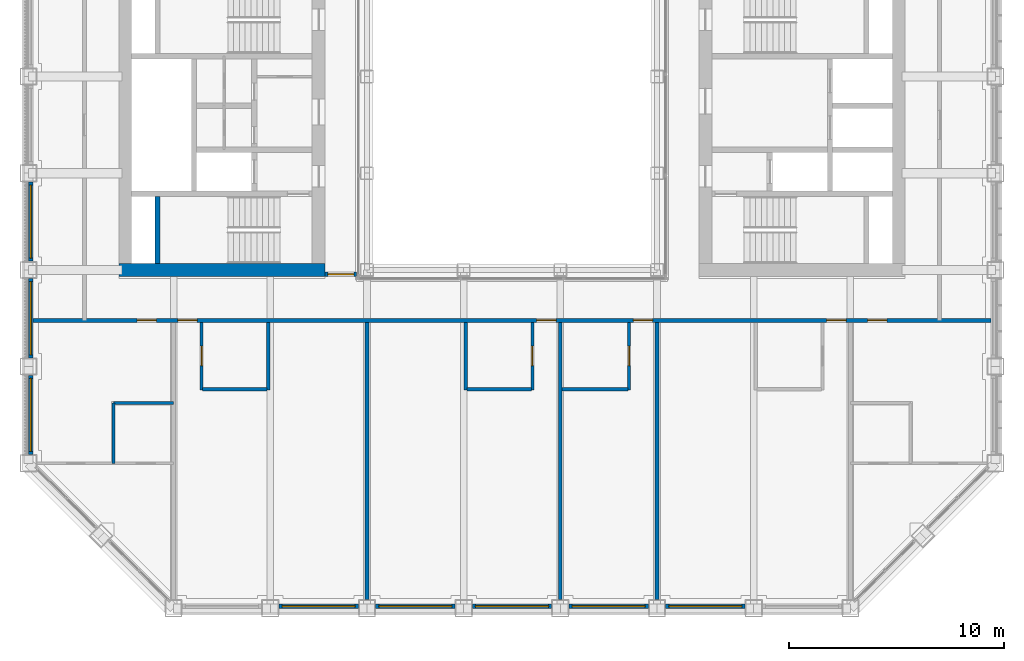
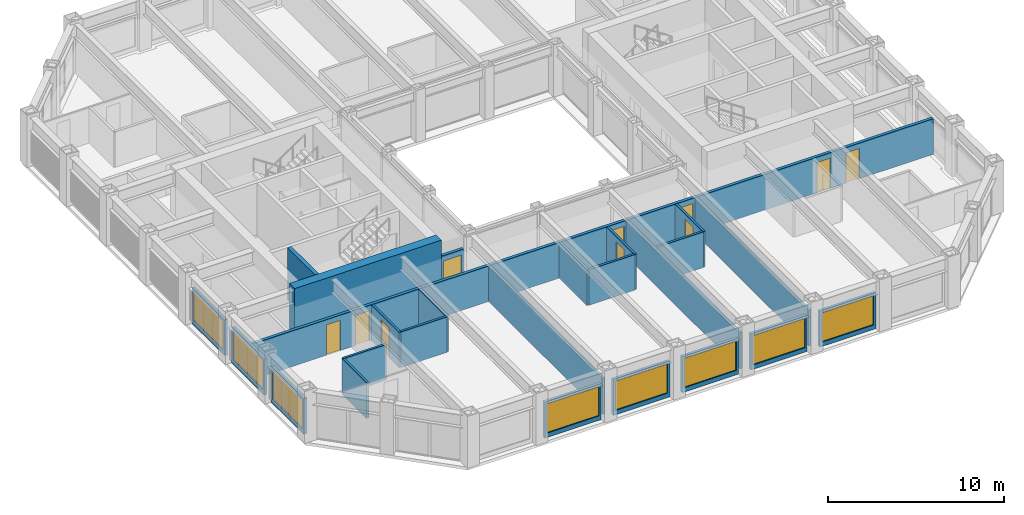
# One storey, part 10 of 17: 25 walls, 10 doors, 8 windows, 18 openings.
"""IFC4 building model written with IfcOpenShell, lengths in metres."""

from ifc_helpers import new_model, si_unit, direction, frame, frame_2d, origin, place, context, subcontext, project, spatial, rectangle, extrude, material, layer, layer_set, type_object, element, fill, save


model = new_model("IFC4")

# Units and contexts
model_context = context("Model", 3, precision=1e-05, world=origin(), true_north=direction((0.0, 1.0)))
body_context = subcontext(model_context, "Body", "Model", "MODEL_VIEW")
ifc_project = project(units=[si_unit("LENGTHUNIT", "METRE"), si_unit("AREAUNIT", "SQUARE_METRE"), si_unit("VOLUMEUNIT", "CUBIC_METRE"), si_unit("PLANEANGLEUNIT", "RADIAN"), si_unit("MASSUNIT", "GRAM", prefix="KILO")], contexts=[model_context])

# Site, building, storey
site_placement = place(None, origin())
site = spatial("IfcSite", under=ifc_project, at=site_placement, CompositionType="ELEMENT")
building_placement = place(site_placement, origin())
building = spatial("IfcBuilding", under=site, at=building_placement, Name="Msasa Ring Tower", CompositionType="ELEMENT")
storey_placement = place(building_placement, frame((0.0, 0.0, 165.199951171875)))
storey = spatial("IfcBuildingStorey", under=building, at=storey_placement, Name="L43", CompositionType="ELEMENT", Elevation=165.199951171875)

# Walls
ifc_material_1 = material(Name="Concrete C60/75", Category="concrete")
ifc_layer_1 = layer(ifc_material_1, 0.60009765625)
ifc_layer_set_1 = layer_set([ifc_layer_1], Name="CW2 CORE WALL 600")
wall_type_1 = type_object("IfcWallType", Name="CW2 CORE WALL 600", PredefinedType="SHEAR", material=ifc_layer_set_1)
wall_1_placement = place(storey_placement, frame((-8.699951171875, -6.75, 0.0), z_axis=(0.0, 0.0, 1.0), x_axis=(-1.0, 0.0, 0.0)))
element("IfcWall", 1, at=wall_1_placement, inside=storey, type_object=wall_type_1, Name="W core wall S L43", PredefinedType="SHEAR", context=body_context, shape_type="SweptSolid", body=[
    extrude(rectangle(XDim=9.60009765625, YDim=0.60009765625, at=frame_2d((4.800048828125, 0.0))), origin(), (0.0, 0.0, 1.0), 3.60009765625),
])
ifc_material_2 = material(Name="Concrete C60/75", Category="concrete")
ifc_layer_2 = layer(ifc_material_2, 0.25)
ifc_layer_set_2 = layer_set([ifc_layer_2], Name="CW4 CORE INNER WALL 250")
wall_type_2 = type_object("IfcWallType", Name="CW4 CORE INNER WALL 250", PredefinedType="SHEAR", material=ifc_layer_set_2)
wall_2_placement = place(storey_placement, frame((-16.5, -6.449951171875, 0.0), z_axis=(0.0, 0.0, 1.0), x_axis=(0.0, 1.0, 0.0)))
element("IfcWall", 2, at=wall_2_placement, inside=storey, type_object=wall_type_2, Name="W core wall RISERA L43", PredefinedType="SHEAR", context=body_context, shape_type="SweptSolid", body=[
    extrude(rectangle(XDim=3.125, YDim=0.25, at=frame_2d((1.5625, 0.0))), origin(), (0.0, 0.0, 1.0), 3.60009765625),
])

# Wall, opening, window
ifc_material_3 = material(Name="Terracotta rainscreen on blockwork", Category="masonry")
ifc_layer_3 = layer(ifc_material_3, 0.199951171875)
ifc_layer_set_3 = layer_set([ifc_layer_3], Name="FW1 TERRACOTTA-LINED INFILL BAY WALL 200")
wall_type_3 = type_object("IfcWallType", Name="FW1 TERRACOTTA-LINED INFILL BAY WALL 200", PredefinedType="SOLIDWALL", material=ifc_layer_set_3)
wall_3_placement = place(storey_placement, frame((-10.844970703125, -22.39990234375, 0.0), z_axis=(0.0, 0.0, 1.0), x_axis=(1.0, 0.0, 0.0)))
wall_3 = element("IfcWall", 3, at=wall_3_placement, inside=storey, type_object=wall_type_3, Name="Infill bay wall S L43 01", PredefinedType="SOLIDWALL", context=body_context, shape_type="SweptSolid", body=[
    extrude(rectangle(XDim=3.68994140625, YDim=0.199951171875, at=frame_2d((1.844970703125, 0.0))), origin(), (0.0, 0.0, 1.0), 2.47900390625),
])
opening_1_placement = place(wall_3_placement, frame((0.14501953125, 0.0, 0.300048828125)))
opening_1 = element("IfcOpeningElement", 4, at=opening_1_placement, cuts=wall_3, Name="Opening WN2", PredefinedType="OPENING", context=body_context, shape_type="SweptSolid", body=[
    extrude(rectangle(XDim=3.39990234375, YDim=2.029052734375, at=frame_2d((1.699951171875, 1.0146484375))), frame((0.0, 0.10986328125, 0.0), z_axis=(0.0, -1.0, 0.0), x_axis=(1.0, 0.0, 0.0)), (0.0, 0.0, 1.0), 0.219970703125),
])
ifc_material_4 = material(Name="Aluminium frame with clear glass", Category="aluminium")
window_type = type_object("IfcWindowType", Name="WN2 GUEST ROOM WINDOW 3400x2029", PartitioningType="SINGLE_PANEL", PredefinedType="WINDOW", material=ifc_material_4)
window_1_placement = place(opening_1_placement, origin())
window_1 = element("IfcWindow", 5, at=window_1_placement, inside=storey, type_object=window_type, Name="Window S L43 01", OverallHeight=2.029052734375, OverallWidth=3.39990234375, PartitioningType="SINGLE_PANEL", PredefinedType="WINDOW", context=body_context, shape_type="SweptSolid", body=[
    extrude(rectangle(XDim=3.39990234375, YDim=2.029052734375, at=frame_2d((1.699951171875, 1.0146484375))), frame((0.0, 0.030029296875, 0.0), z_axis=(0.0, -1.0, 0.0), x_axis=(1.0, 0.0, 0.0)), (0.0, 0.0, 1.0), 0.06005859375),
])
fill(opening_1, window_1)

wall_4_placement = place(storey_placement, frame((-6.344970703125, -22.39990234375, 0.0), z_axis=(0.0, 0.0, 1.0), x_axis=(1.0, 0.0, 0.0)))
wall_4 = element("IfcWall", 6, at=wall_4_placement, inside=storey, type_object=wall_type_3, Name="Infill bay wall S L43 02", PredefinedType="SOLIDWALL", context=body_context, shape_type="SweptSolid", body=[
    extrude(rectangle(XDim=3.68994140625, YDim=0.199951171875, at=frame_2d((1.844970703125, 0.0))), origin(), (0.0, 0.0, 1.0), 2.47900390625),
])
opening_2_placement = place(wall_4_placement, frame((0.14501953125, 0.0, 0.300048828125)))
opening_2 = element("IfcOpeningElement", 7, at=opening_2_placement, cuts=wall_4, Name="Opening WN2", PredefinedType="OPENING", context=body_context, shape_type="SweptSolid", body=[
    extrude(rectangle(XDim=3.39990234375, YDim=2.029052734375, at=frame_2d((1.699951171875, 1.0146484375))), frame((0.0, 0.10986328125, 0.0), z_axis=(0.0, -1.0, 0.0), x_axis=(1.0, 0.0, 0.0)), (0.0, 0.0, 1.0), 0.219970703125),
])
window_2_placement = place(opening_2_placement, origin())
window_2 = element("IfcWindow", 8, at=window_2_placement, inside=storey, type_object=window_type, Name="Window S L43 02", OverallHeight=2.029052734375, OverallWidth=3.39990234375, PartitioningType="SINGLE_PANEL", PredefinedType="WINDOW", context=body_context, shape_type="SweptSolid", body=[
    extrude(rectangle(XDim=3.39990234375, YDim=2.029052734375, at=frame_2d((1.699951171875, 1.0146484375))), frame((0.0, 0.030029296875, 0.0), z_axis=(0.0, -1.0, 0.0), x_axis=(1.0, 0.0, 0.0)), (0.0, 0.0, 1.0), 0.06005859375),
])
fill(opening_2, window_2)

wall_5_placement = place(storey_placement, frame((-1.844970703125, -22.39990234375, 0.0), z_axis=(0.0, 0.0, 1.0), x_axis=(1.0, 0.0, 0.0)))
wall_5 = element("IfcWall", 9, at=wall_5_placement, inside=storey, type_object=wall_type_3, Name="Infill bay wall S L43 03", PredefinedType="SOLIDWALL", context=body_context, shape_type="SweptSolid", body=[
    extrude(rectangle(XDim=3.68994140625, YDim=0.199951171875, at=frame_2d((1.844970703125, 0.0))), origin(), (0.0, 0.0, 1.0), 2.47900390625),
])
opening_3_placement = place(wall_5_placement, frame((0.14501953125, 0.0, 0.300048828125)))
opening_3 = element("IfcOpeningElement", 10, at=opening_3_placement, cuts=wall_5, Name="Opening WN2", PredefinedType="OPENING", context=body_context, shape_type="SweptSolid", body=[
    extrude(rectangle(XDim=3.39990234375, YDim=2.029052734375, at=frame_2d((1.699951171875, 1.0146484375))), frame((0.0, 0.10986328125, 0.0), z_axis=(0.0, -1.0, 0.0), x_axis=(1.0, 0.0, 0.0)), (0.0, 0.0, 1.0), 0.219970703125),
])
window_3_placement = place(opening_3_placement, origin())
window_3 = element("IfcWindow", 11, at=window_3_placement, inside=storey, type_object=window_type, Name="Window S L43 03", OverallHeight=2.029052734375, OverallWidth=3.39990234375, PartitioningType="SINGLE_PANEL", PredefinedType="WINDOW", context=body_context, shape_type="SweptSolid", body=[
    extrude(rectangle(XDim=3.39990234375, YDim=2.029052734375, at=frame_2d((1.699951171875, 1.0146484375))), frame((0.0, 0.030029296875, 0.0), z_axis=(0.0, -1.0, 0.0), x_axis=(1.0, 0.0, 0.0)), (0.0, 0.0, 1.0), 0.06005859375),
])
fill(opening_3, window_3)

wall_6_placement = place(storey_placement, frame((2.655029296875, -22.39990234375, 0.0), z_axis=(0.0, 0.0, 1.0), x_axis=(1.0, 0.0, 0.0)))
wall_6 = element("IfcWall", 12, at=wall_6_placement, inside=storey, type_object=wall_type_3, Name="Infill bay wall S L43 04", PredefinedType="SOLIDWALL", context=body_context, shape_type="SweptSolid", body=[
    extrude(rectangle(XDim=3.68994140625, YDim=0.199951171875, at=frame_2d((1.844970703125, 0.0))), origin(), (0.0, 0.0, 1.0), 2.47900390625),
])
opening_4_placement = place(wall_6_placement, frame((0.14501953125, 0.0, 0.300048828125)))
opening_4 = element("IfcOpeningElement", 13, at=opening_4_placement, cuts=wall_6, Name="Opening WN2", PredefinedType="OPENING", context=body_context, shape_type="SweptSolid", body=[
    extrude(rectangle(XDim=3.39990234375, YDim=2.029052734375, at=frame_2d((1.699951171875, 1.0146484375))), frame((0.0, 0.10986328125, 0.0), z_axis=(0.0, -1.0, 0.0), x_axis=(1.0, 0.0, 0.0)), (0.0, 0.0, 1.0), 0.219970703125),
])
window_4_placement = place(opening_4_placement, origin())
window_4 = element("IfcWindow", 14, at=window_4_placement, inside=storey, type_object=window_type, Name="Window S L43 04", OverallHeight=2.029052734375, OverallWidth=3.39990234375, PartitioningType="SINGLE_PANEL", PredefinedType="WINDOW", context=body_context, shape_type="SweptSolid", body=[
    extrude(rectangle(XDim=3.39990234375, YDim=2.029052734375, at=frame_2d((1.699951171875, 1.0146484375))), frame((0.0, 0.030029296875, 0.0), z_axis=(0.0, -1.0, 0.0), x_axis=(1.0, 0.0, 0.0)), (0.0, 0.0, 1.0), 0.06005859375),
])
fill(opening_4, window_4)

wall_7_placement = place(storey_placement, frame((7.155029296875, -22.39990234375, 0.0), z_axis=(0.0, 0.0, 1.0), x_axis=(1.0, 0.0, 0.0)))
wall_7 = element("IfcWall", 15, at=wall_7_placement, inside=storey, type_object=wall_type_3, Name="Infill bay wall S L43 05", PredefinedType="SOLIDWALL", context=body_context, shape_type="SweptSolid", body=[
    extrude(rectangle(XDim=3.68994140625, YDim=0.199951171875, at=frame_2d((1.844970703125, 0.0))), origin(), (0.0, 0.0, 1.0), 2.47900390625),
])
opening_5_placement = place(wall_7_placement, frame((0.14501953125, 0.0, 0.300048828125)))
opening_5 = element("IfcOpeningElement", 16, at=opening_5_placement, cuts=wall_7, Name="Opening WN2", PredefinedType="OPENING", context=body_context, shape_type="SweptSolid", body=[
    extrude(rectangle(XDim=3.39990234375, YDim=2.029052734375, at=frame_2d((1.699951171875, 1.0146484375))), frame((0.0, 0.10986328125, 0.0), z_axis=(0.0, -1.0, 0.0), x_axis=(1.0, 0.0, 0.0)), (0.0, 0.0, 1.0), 0.219970703125),
])
window_5_placement = place(opening_5_placement, origin())
window_5 = element("IfcWindow", 17, at=window_5_placement, inside=storey, type_object=window_type, Name="Window S L43 05", OverallHeight=2.029052734375, OverallWidth=3.39990234375, PartitioningType="SINGLE_PANEL", PredefinedType="WINDOW", context=body_context, shape_type="SweptSolid", body=[
    extrude(rectangle(XDim=3.39990234375, YDim=2.029052734375, at=frame_2d((1.699951171875, 1.0146484375))), frame((0.0, 0.030029296875, 0.0), z_axis=(0.0, -1.0, 0.0), x_axis=(1.0, 0.0, 0.0)), (0.0, 0.0, 1.0), 0.06005859375),
])
fill(opening_5, window_5)

wall_8_placement = place(storey_placement, frame((-22.39990234375, -15.344970703125, 0.0), z_axis=(0.0, 0.0, 1.0), x_axis=(0.0, 1.0, 0.0)))
wall_8 = element("IfcWall", 18, at=wall_8_placement, inside=storey, type_object=wall_type_3, Name="Infill bay wall W L43 27", PredefinedType="SOLIDWALL", context=body_context, shape_type="SweptSolid", body=[
    extrude(rectangle(XDim=3.68994140625, YDim=0.199951171875, at=frame_2d((1.844970703125, 0.0))), origin(), (0.0, 0.0, 1.0), 2.47900390625),
])
opening_6_placement = place(wall_8_placement, frame((0.14501953125, 0.0, 0.300048828125)))
opening_6 = element("IfcOpeningElement", 19, at=opening_6_placement, cuts=wall_8, Name="Opening WN2", PredefinedType="OPENING", context=body_context, shape_type="SweptSolid", body=[
    extrude(rectangle(XDim=3.39990234375, YDim=2.029052734375, at=frame_2d((1.699951171875, 1.0146484375))), frame((0.0, 0.10986328125, 0.0), z_axis=(0.0, -1.0, 0.0), x_axis=(1.0, 0.0, 0.0)), (0.0, 0.0, 1.0), 0.219970703125),
])
window_6_placement = place(opening_6_placement, origin())
window_6 = element("IfcWindow", 20, at=window_6_placement, inside=storey, type_object=window_type, Name="Window W L43 27", OverallHeight=2.029052734375, OverallWidth=3.39990234375, PartitioningType="SINGLE_PANEL", PredefinedType="WINDOW", context=body_context, shape_type="SweptSolid", body=[
    extrude(rectangle(XDim=3.39990234375, YDim=2.029052734375, at=frame_2d((1.699951171875, 1.0146484375))), frame((0.0, 0.030029296875, 0.0), z_axis=(0.0, -1.0, 0.0), x_axis=(1.0, 0.0, 0.0)), (0.0, 0.0, 1.0), 0.06005859375),
])
fill(opening_6, window_6)

wall_9_placement = place(storey_placement, frame((-22.39990234375, -10.844970703125, 0.0), z_axis=(0.0, 0.0, 1.0), x_axis=(0.0, 1.0, 0.0)))
wall_9 = element("IfcWall", 21, at=wall_9_placement, inside=storey, type_object=wall_type_3, Name="Infill bay wall W L43 28", PredefinedType="SOLIDWALL", context=body_context, shape_type="SweptSolid", body=[
    extrude(rectangle(XDim=3.68994140625, YDim=0.199951171875, at=frame_2d((1.844970703125, 0.0))), origin(), (0.0, 0.0, 1.0), 2.47900390625),
])
opening_7_placement = place(wall_9_placement, frame((0.14501953125, 0.0, 0.300048828125)))
opening_7 = element("IfcOpeningElement", 22, at=opening_7_placement, cuts=wall_9, Name="Opening WN2", PredefinedType="OPENING", context=body_context, shape_type="SweptSolid", body=[
    extrude(rectangle(XDim=3.39990234375, YDim=2.029052734375, at=frame_2d((1.699951171875, 1.0146484375))), frame((0.0, 0.10986328125, 0.0), z_axis=(0.0, -1.0, 0.0), x_axis=(1.0, 0.0, 0.0)), (0.0, 0.0, 1.0), 0.219970703125),
])
window_7_placement = place(opening_7_placement, origin())
window_7 = element("IfcWindow", 23, at=window_7_placement, inside=storey, type_object=window_type, Name="Window W L43 28", OverallHeight=2.029052734375, OverallWidth=3.39990234375, PartitioningType="SINGLE_PANEL", PredefinedType="WINDOW", context=body_context, shape_type="SweptSolid", body=[
    extrude(rectangle(XDim=3.39990234375, YDim=2.029052734375, at=frame_2d((1.699951171875, 1.0146484375))), frame((0.0, 0.030029296875, 0.0), z_axis=(0.0, -1.0, 0.0), x_axis=(1.0, 0.0, 0.0)), (0.0, 0.0, 1.0), 0.06005859375),
])
fill(opening_7, window_7)

wall_10_placement = place(storey_placement, frame((-22.39990234375, -6.344970703125, 0.0), z_axis=(0.0, 0.0, 1.0), x_axis=(0.0, 1.0, 0.0)))
wall_10 = element("IfcWall", 24, at=wall_10_placement, inside=storey, type_object=wall_type_3, Name="Infill bay wall W L43 29", PredefinedType="SOLIDWALL", context=body_context, shape_type="SweptSolid", body=[
    extrude(rectangle(XDim=3.68994140625, YDim=0.199951171875, at=frame_2d((1.844970703125, 0.0))), origin(), (0.0, 0.0, 1.0), 2.47900390625),
])
opening_8_placement = place(wall_10_placement, frame((0.14501953125, 0.0, 0.300048828125)))
opening_8 = element("IfcOpeningElement", 25, at=opening_8_placement, cuts=wall_10, Name="Opening WN2", PredefinedType="OPENING", context=body_context, shape_type="SweptSolid", body=[
    extrude(rectangle(XDim=3.39990234375, YDim=2.029052734375, at=frame_2d((1.699951171875, 1.0146484375))), frame((0.0, 0.10986328125, 0.0), z_axis=(0.0, -1.0, 0.0), x_axis=(1.0, 0.0, 0.0)), (0.0, 0.0, 1.0), 0.219970703125),
])
window_8_placement = place(opening_8_placement, origin())
window_8 = element("IfcWindow", 26, at=window_8_placement, inside=storey, type_object=window_type, Name="Window W L43 29", OverallHeight=2.029052734375, OverallWidth=3.39990234375, PartitioningType="SINGLE_PANEL", PredefinedType="WINDOW", context=body_context, shape_type="SweptSolid", body=[
    extrude(rectangle(XDim=3.39990234375, YDim=2.029052734375, at=frame_2d((1.699951171875, 1.0146484375))), frame((0.0, 0.030029296875, 0.0), z_axis=(0.0, -1.0, 0.0), x_axis=(1.0, 0.0, 0.0)), (0.0, 0.0, 1.0), 0.06005859375),
])
fill(opening_8, window_8)

# Wall, opening, door
ifc_material_5 = material(Name="Concrete blockwork", Category="masonry")
ifc_layer_4 = layer(ifc_material_5, 0.199951171875)
ifc_layer_set_4 = layer_set([ifc_layer_4], Name="PT1 CORRIDOR WALL 200")
wall_type_4 = type_object("IfcWallType", Name="PT1 CORRIDOR WALL 200", PredefinedType="PARTITIONING", material=ifc_layer_set_4)
wall_11_placement = place(storey_placement, frame((-8.699951171875, -6.949951171875, 0.0), z_axis=(0.0, 0.0, 1.0), x_axis=(1.0, 0.0, 0.0)))
wall_11 = element("IfcWall", 27, at=wall_11_placement, inside=storey, type_object=wall_type_4, Name="Corridor wall L43-SDWS", PredefinedType="PARTITIONING", context=body_context, shape_type="SweptSolid", body=[
    extrude(rectangle(XDim=1.469970703125, YDim=0.199951171875, at=frame_2d((0.73486328125, 0.0))), origin(), (0.0, 0.0, 1.0), 2.473388671875),
])
opening_9_placement = place(wall_11_placement, frame((0.135009765625, 0.0, 0.0)))
opening_9 = element("IfcOpeningElement", 28, at=opening_9_placement, cuts=wall_11, Name="Opening HE-031", PredefinedType="OPENING", context=body_context, shape_type="SweptSolid", body=[
    extrude(rectangle(XDim=1.199951171875, YDim=2.10009765625, at=frame_2d((0.60009765625, 1.050048828125))), frame((0.0, 0.10986328125, 0.0), z_axis=(0.0, -1.0, 0.0), x_axis=(1.0, 0.0, 0.0)), (0.0, 0.0, 1.0), 0.219970703125),
])
ifc_material_6 = material(Name="Timber door leaf in a steel frame", Category="steel")
door_type_1 = type_object("IfcDoorType", Name="D25 CORRIDOR PAIR OF SMOKE DOORS 1200x2100", OperationType="DOUBLE_DOOR_DOUBLE_SWING", PredefinedType="DOOR", material=ifc_material_6)
door_1_placement = place(opening_9_placement, origin())
door_1 = element("IfcDoor", 29, at=door_1_placement, inside=storey, type_object=door_type_1, Name="Door L43-SDWS", OperationType="DOUBLE_DOOR_DOUBLE_SWING", OverallHeight=2.10009765625, OverallWidth=1.199951171875, PredefinedType="DOOR", context=body_context, shape_type="SweptSolid", body=[
    extrude(rectangle(XDim=1.199951171875, YDim=2.10009765625, at=frame_2d((0.60009765625, 1.050048828125))), frame((0.0, 0.02490234375, 0.0), z_axis=(0.0, -1.0, 0.0), x_axis=(1.0, 0.0, 0.0)), (0.0, 0.0, 1.0), 0.050048828125),
])
fill(opening_9, door_1)

# Wall, openings, doors
wall_12_placement = place(storey_placement, frame((-22.300048828125, -9.10009765625, 0.0), z_axis=(0.0, 0.0, 1.0), x_axis=(1.0, 0.0, 0.0)))
wall_12 = element("IfcWall", 30, at=wall_12_placement, inside=storey, type_object=wall_type_4, Name="Corridor wall L43-CORRS0", PredefinedType="PARTITIONING", context=body_context, shape_type="SweptSolid", body=[
    extrude(rectangle(XDim=44.60009765625, YDim=0.199951171875, at=frame_2d((22.300048828125, 0.0))), origin(), (0.0, 0.0, 1.0), 2.473388671875),
])
opening_10_placement = place(wall_12_placement, frame((6.75, 0.0, 0.0)))
opening_10 = element("IfcOpeningElement", 31, at=opening_10_placement, cuts=wall_12, Name="Opening HE-033", PredefinedType="OPENING", context=body_context, shape_type="SweptSolid", body=[
    extrude(rectangle(XDim=0.89990234375, YDim=2.10009765625, at=frame_2d((0.449951171875, 1.050048828125))), frame((0.0, 0.10986328125, 0.0), z_axis=(0.0, -1.0, 0.0), x_axis=(1.0, 0.0, 0.0)), (0.0, 0.0, 1.0), 0.219970703125),
])
opening_11_placement = place(wall_12_placement, frame((23.449951171875, 0.0, 0.0)))
opening_11 = element("IfcOpeningElement", 32, at=opening_11_placement, cuts=wall_12, Name="Opening HE-034", PredefinedType="OPENING", context=body_context, shape_type="SweptSolid", body=[
    extrude(rectangle(XDim=0.89990234375, YDim=2.10009765625, at=frame_2d((0.449951171875, 1.050048828125))), frame((0.0, 0.10986328125, 0.0), z_axis=(0.0, -1.0, 0.0), x_axis=(1.0, 0.0, 0.0)), (0.0, 0.0, 1.0), 0.219970703125),
])
opening_12_placement = place(wall_12_placement, frame((27.949951171875, 0.0, 0.0)))
opening_12 = element("IfcOpeningElement", 33, at=opening_12_placement, cuts=wall_12, Name="Opening HE-035", PredefinedType="OPENING", context=body_context, shape_type="SweptSolid", body=[
    extrude(rectangle(XDim=0.89990234375, YDim=2.10009765625, at=frame_2d((0.449951171875, 1.050048828125))), frame((0.0, 0.10986328125, 0.0), z_axis=(0.0, -1.0, 0.0), x_axis=(1.0, 0.0, 0.0)), (0.0, 0.0, 1.0), 0.219970703125),
])
opening_13_placement = place(wall_12_placement, frame((36.949951171875, 0.0, 0.0)))
opening_13 = element("IfcOpeningElement", 34, at=opening_13_placement, cuts=wall_12, Name="Opening HE-036", PredefinedType="OPENING", context=body_context, shape_type="SweptSolid", body=[
    extrude(rectangle(XDim=0.89990234375, YDim=2.10009765625, at=frame_2d((0.449951171875, 1.050048828125))), frame((0.0, 0.10986328125, 0.0), z_axis=(0.0, -1.0, 0.0), x_axis=(1.0, 0.0, 0.0)), (0.0, 0.0, 1.0), 0.219970703125),
])
opening_14_placement = place(wall_12_placement, frame((38.85009765625, 0.0, 0.0)))
opening_14 = element("IfcOpeningElement", 35, at=opening_14_placement, cuts=wall_12, Name="Opening HE-037", PredefinedType="OPENING", context=body_context, shape_type="SweptSolid", body=[
    extrude(rectangle(XDim=0.89990234375, YDim=2.10009765625, at=frame_2d((0.449951171875, 1.050048828125))), frame((0.0, 0.10986328125, 0.0), z_axis=(0.0, -1.0, 0.0), x_axis=(1.0, 0.0, 0.0)), (0.0, 0.0, 1.0), 0.219970703125),
])
opening_15_placement = place(wall_12_placement, frame((4.85009765625, 0.0, 0.0)))
opening_15 = element("IfcOpeningElement", 36, at=opening_15_placement, cuts=wall_12, Name="Opening HE-032", PredefinedType="OPENING", context=body_context, shape_type="SweptSolid", body=[
    extrude(rectangle(XDim=0.89990234375, YDim=2.10009765625, at=frame_2d((0.449951171875, 1.050048828125))), frame((0.0, 0.10986328125, 0.0), z_axis=(0.0, -1.0, 0.0), x_axis=(1.0, 0.0, 0.0)), (0.0, 0.0, 1.0), 0.219970703125),
])
ifc_material_7 = material(Name="Timber door leaf in a steel frame", Category="steel")
door_type_2 = type_object("IfcDoorType", Name="D1 SINGLE DOOR TO CORRIDOR 900x2100", OperationType="SINGLE_SWING_LEFT", PredefinedType="DOOR", material=ifc_material_7)
door_2_placement = place(opening_10_placement, origin())
door_2 = element("IfcDoor", 37, at=door_2_placement, inside=storey, type_object=door_type_2, Name="Door L43-GS00", OperationType="SINGLE_SWING_LEFT", OverallHeight=2.10009765625, OverallWidth=0.89990234375, PredefinedType="DOOR", context=body_context, shape_type="SweptSolid", body=[
    extrude(rectangle(XDim=0.89990234375, YDim=2.10009765625, at=frame_2d((0.449951171875, 1.050048828125))), frame((0.0, 0.02490234375, 0.0), z_axis=(0.0, -1.0, 0.0), x_axis=(1.0, 0.0, 0.0)), (0.0, 0.0, 1.0), 0.050048828125),
])
fill(opening_10, door_2)
door_3_placement = place(opening_11_placement, origin())
door_3 = element("IfcDoor", 38, at=door_3_placement, inside=storey, type_object=door_type_2, Name="Door L43-GS01", OperationType="SINGLE_SWING_RIGHT", OverallHeight=2.10009765625, OverallWidth=0.89990234375, PredefinedType="DOOR", context=body_context, shape_type="SweptSolid", body=[
    extrude(rectangle(XDim=0.89990234375, YDim=2.10009765625, at=frame_2d((0.449951171875, 1.050048828125))), frame((0.0, 0.02490234375, 0.0), z_axis=(0.0, -1.0, 0.0), x_axis=(1.0, 0.0, 0.0)), (0.0, 0.0, 1.0), 0.050048828125),
])
fill(opening_11, door_3)
door_4_placement = place(opening_12_placement, origin())
door_4 = element("IfcDoor", 39, at=door_4_placement, inside=storey, type_object=door_type_2, Name="Door L43-GS02", OperationType="SINGLE_SWING_RIGHT", OverallHeight=2.10009765625, OverallWidth=0.89990234375, PredefinedType="DOOR", context=body_context, shape_type="SweptSolid", body=[
    extrude(rectangle(XDim=0.89990234375, YDim=2.10009765625, at=frame_2d((0.449951171875, 1.050048828125))), frame((0.0, 0.02490234375, 0.0), z_axis=(0.0, -1.0, 0.0), x_axis=(1.0, 0.0, 0.0)), (0.0, 0.0, 1.0), 0.050048828125),
])
fill(opening_12, door_4)
door_5_placement = place(opening_13_placement, origin())
door_5 = element("IfcDoor", 40, at=door_5_placement, inside=storey, type_object=door_type_2, Name="Door L43-GS03", OperationType="SINGLE_SWING_RIGHT", OverallHeight=2.10009765625, OverallWidth=0.89990234375, PredefinedType="DOOR", context=body_context, shape_type="SweptSolid", body=[
    extrude(rectangle(XDim=0.89990234375, YDim=2.10009765625, at=frame_2d((0.449951171875, 1.050048828125))), frame((0.0, 0.02490234375, 0.0), z_axis=(0.0, -1.0, 0.0), x_axis=(1.0, 0.0, 0.0)), (0.0, 0.0, 1.0), 0.050048828125),
])
fill(opening_13, door_5)
ifc_material_8 = material(Name="Timber door leaf in a steel frame", Category="steel")
door_type_3 = type_object("IfcDoorType", Name="D2 ENTRANCE DOOR 900x2100", OperationType="SINGLE_SWING_LEFT", PredefinedType="DOOR", material=ifc_material_8)
door_6_placement = place(opening_14_placement, origin())
door_6 = element("IfcDoor", 41, at=door_6_placement, inside=storey, type_object=door_type_3, Name="Door L43-CSSE", OperationType="SINGLE_SWING_RIGHT", OverallHeight=2.10009765625, OverallWidth=0.89990234375, PredefinedType="DOOR", context=body_context, shape_type="SweptSolid", body=[
    extrude(rectangle(XDim=0.89990234375, YDim=2.10009765625, at=frame_2d((0.449951171875, 1.050048828125))), frame((0.0, 0.02490234375, 0.0), z_axis=(0.0, -1.0, 0.0), x_axis=(1.0, 0.0, 0.0)), (0.0, 0.0, 1.0), 0.050048828125),
])
fill(opening_14, door_6)
door_7_placement = place(opening_15_placement, origin())
door_7 = element("IfcDoor", 42, at=door_7_placement, inside=storey, type_object=door_type_3, Name="Door L43-CSSW", OperationType="SINGLE_SWING_LEFT", OverallHeight=2.10009765625, OverallWidth=0.89990234375, PredefinedType="DOOR", context=body_context, shape_type="SweptSolid", body=[
    extrude(rectangle(XDim=0.89990234375, YDim=2.10009765625, at=frame_2d((0.449951171875, 1.050048828125))), frame((0.0, 0.02490234375, 0.0), z_axis=(0.0, -1.0, 0.0), x_axis=(1.0, 0.0, 0.0)), (0.0, 0.0, 1.0), 0.050048828125),
])
fill(opening_15, door_7)

# Wall, opening, door
ifc_material_9 = material(Name="Moisture-resistant board on steel studs with a concealed cistern and pipe void, tiled", Category="steel")
ifc_layer_5 = layer(ifc_material_9, 0.14990234375)
ifc_layer_set_5 = layer_set([ifc_layer_5], Name="PT4 BATHROOM WET WALL 150")
wall_type_5 = type_object("IfcWallType", Name="PT4 BATHROOM WET WALL 150", PredefinedType="PARTITIONING", material=ifc_layer_set_5)
wall_13_placement = place(storey_placement, frame((-14.449951171875, -12.35009765625, 0.0), z_axis=(0.0, 0.0, 1.0), x_axis=(0.0, 1.0, 0.0)))
wall_13 = element("IfcWall", 43, at=wall_13_placement, inside=storey, type_object=wall_type_5, Name="Partition L43-GS00BX", PredefinedType="PARTITIONING", context=body_context, shape_type="SweptSolid", body=[
    extrude(rectangle(XDim=3.150146484375, YDim=0.14990234375, at=frame_2d((1.5751953125, 0.0))), origin(), (0.0, 0.0, 1.0), 2.473388671875),
])
opening_16_placement = place(wall_13_placement, frame((1.14990234375, 0.0, 0.0)))
opening_16 = element("IfcOpeningElement", 44, at=opening_16_placement, cuts=wall_13, Name="Opening HE-038", PredefinedType="OPENING", context=body_context, shape_type="SweptSolid", body=[
    extrude(rectangle(XDim=0.89990234375, YDim=2.10009765625, at=frame_2d((0.449951171875, 1.050048828125))), frame((0.0, 0.0849609375, 0.0), z_axis=(0.0, -1.0, 0.0), x_axis=(1.0, 0.0, 0.0)), (0.0, 0.0, 1.0), 0.169921875),
])
ifc_material_10 = material(Name="Timber door leaf in a steel frame", Category="steel")
door_type_4 = type_object("IfcDoorType", Name="D3 BATHROOM DOOR 900x2100", OperationType="SINGLE_SWING_LEFT", PredefinedType="DOOR", material=ifc_material_10)
door_8_placement = place(opening_16_placement, origin())
door_8 = element("IfcDoor", 45, at=door_8_placement, inside=storey, type_object=door_type_4, Name="Door L43-GS00B", OperationType="SINGLE_SWING_LEFT", OverallHeight=2.10009765625, OverallWidth=0.89990234375, PredefinedType="DOOR", context=body_context, shape_type="SweptSolid", body=[
    extrude(rectangle(XDim=0.89990234375, YDim=2.10009765625, at=frame_2d((0.449951171875, 1.050048828125))), frame((0.0, 0.02490234375, 0.0), z_axis=(0.0, -1.0, 0.0), x_axis=(1.0, 0.0, 0.0)), (0.0, 0.0, 1.0), 0.050048828125),
])
fill(opening_16, door_8)

# Walls
wall_14_placement = place(storey_placement, frame((-11.35009765625, -12.35009765625, 0.0), z_axis=(0.0, 0.0, 1.0), x_axis=(0.0, 1.0, 0.0)))
element("IfcWall", 46, at=wall_14_placement, inside=storey, type_object=wall_type_5, Name="Partition L43-GS00BF", PredefinedType="PARTITIONING", context=body_context, shape_type="SweptSolid", body=[
    extrude(rectangle(XDim=3.150146484375, YDim=0.14990234375, at=frame_2d((1.5751953125, 0.0))), origin(), (0.0, 0.0, 1.0), 2.473388671875),
])
wall_15_placement = place(storey_placement, frame((-14.39990234375, -12.300048828125, 0.0), z_axis=(0.0, 0.0, 1.0), x_axis=(1.0, 0.0, 0.0)))
element("IfcWall", 47, at=wall_15_placement, inside=storey, type_object=wall_type_5, Name="Partition L43-GS00BY", PredefinedType="PARTITIONING", context=body_context, shape_type="SweptSolid", body=[
    extrude(rectangle(XDim=3.0, YDim=0.14990234375, at=frame_2d((1.5, 0.0))), origin(), (0.0, 0.0, 1.0), 2.473388671875),
])

# Wall, opening, door
wall_16_placement = place(storey_placement, frame((0.949951171875, -12.35009765625, 0.0), z_axis=(0.0, 0.0, 1.0), x_axis=(0.0, 1.0, 0.0)))
wall_16 = element("IfcWall", 48, at=wall_16_placement, inside=storey, type_object=wall_type_5, Name="Partition L43-GS01BX", PredefinedType="PARTITIONING", context=body_context, shape_type="SweptSolid", body=[
    extrude(rectangle(XDim=3.150146484375, YDim=0.14990234375, at=frame_2d((1.5751953125, 0.0))), origin(), (0.0, 0.0, 1.0), 2.473388671875),
])
opening_17_placement = place(wall_16_placement, frame((1.14990234375, 0.0, 0.0)))
opening_17 = element("IfcOpeningElement", 49, at=opening_17_placement, cuts=wall_16, Name="Opening HE-039", PredefinedType="OPENING", context=body_context, shape_type="SweptSolid", body=[
    extrude(rectangle(XDim=0.89990234375, YDim=2.10009765625, at=frame_2d((0.449951171875, 1.050048828125))), frame((0.0, 0.0849609375, 0.0), z_axis=(0.0, -1.0, 0.0), x_axis=(1.0, 0.0, 0.0)), (0.0, 0.0, 1.0), 0.169921875),
])
door_9_placement = place(opening_17_placement, origin())
door_9 = element("IfcDoor", 50, at=door_9_placement, inside=storey, type_object=door_type_4, Name="Door L43-GS01B", OperationType="SINGLE_SWING_LEFT", OverallHeight=2.10009765625, OverallWidth=0.89990234375, PredefinedType="DOOR", context=body_context, shape_type="SweptSolid", body=[
    extrude(rectangle(XDim=0.89990234375, YDim=2.10009765625, at=frame_2d((0.449951171875, 1.050048828125))), frame((0.0, 0.02490234375, 0.0), z_axis=(0.0, -1.0, 0.0), x_axis=(1.0, 0.0, 0.0)), (0.0, 0.0, 1.0), 0.050048828125),
])
fill(opening_17, door_9)

# Walls
wall_17_placement = place(storey_placement, frame((-2.14990234375, -12.35009765625, 0.0), z_axis=(0.0, 0.0, 1.0), x_axis=(0.0, 1.0, 0.0)))
element("IfcWall", 51, at=wall_17_placement, inside=storey, type_object=wall_type_5, Name="Partition L43-GS01BF", PredefinedType="PARTITIONING", context=body_context, shape_type="SweptSolid", body=[
    extrude(rectangle(XDim=3.150146484375, YDim=0.14990234375, at=frame_2d((1.5751953125, 0.0))), origin(), (0.0, 0.0, 1.0), 2.473388671875),
])
wall_18_placement = place(storey_placement, frame((-2.10009765625, -12.300048828125, 0.0), z_axis=(0.0, 0.0, 1.0), x_axis=(1.0, 0.0, 0.0)))
element("IfcWall", 52, at=wall_18_placement, inside=storey, type_object=wall_type_5, Name="Partition L43-GS01BY", PredefinedType="PARTITIONING", context=body_context, shape_type="SweptSolid", body=[
    extrude(rectangle(XDim=3.0, YDim=0.14990234375, at=frame_2d((1.5, 0.0))), origin(), (0.0, 0.0, 1.0), 2.473388671875),
])

# Wall, opening, door
wall_19_placement = place(storey_placement, frame((5.449951171875, -12.35009765625, 0.0), z_axis=(0.0, 0.0, 1.0), x_axis=(0.0, 1.0, 0.0)))
wall_19 = element("IfcWall", 53, at=wall_19_placement, inside=storey, type_object=wall_type_5, Name="Partition L43-GS02BX", PredefinedType="PARTITIONING", context=body_context, shape_type="SweptSolid", body=[
    extrude(rectangle(XDim=3.150146484375, YDim=0.14990234375, at=frame_2d((1.5751953125, 0.0))), origin(), (0.0, 0.0, 1.0), 2.473388671875),
])
opening_18_placement = place(wall_19_placement, frame((1.14990234375, 0.0, 0.0)))
opening_18 = element("IfcOpeningElement", 54, at=opening_18_placement, cuts=wall_19, Name="Opening HE-040", PredefinedType="OPENING", context=body_context, shape_type="SweptSolid", body=[
    extrude(rectangle(XDim=0.89990234375, YDim=2.10009765625, at=frame_2d((0.449951171875, 1.050048828125))), frame((0.0, 0.0849609375, 0.0), z_axis=(0.0, -1.0, 0.0), x_axis=(1.0, 0.0, 0.0)), (0.0, 0.0, 1.0), 0.169921875),
])
door_10_placement = place(opening_18_placement, origin())
door_10 = element("IfcDoor", 55, at=door_10_placement, inside=storey, type_object=door_type_4, Name="Door L43-GS02B", OperationType="SINGLE_SWING_LEFT", OverallHeight=2.10009765625, OverallWidth=0.89990234375, PredefinedType="DOOR", context=body_context, shape_type="SweptSolid", body=[
    extrude(rectangle(XDim=0.89990234375, YDim=2.10009765625, at=frame_2d((0.449951171875, 1.050048828125))), frame((0.0, 0.02490234375, 0.0), z_axis=(0.0, -1.0, 0.0), x_axis=(1.0, 0.0, 0.0)), (0.0, 0.0, 1.0), 0.050048828125),
])
fill(opening_18, door_10)

# Walls
wall_20_placement = place(storey_placement, frame((2.33740234375, -12.300048828125, 0.0), z_axis=(0.0, 0.0, 1.0), x_axis=(1.0, 0.0, 0.0)))
element("IfcWall", 56, at=wall_20_placement, inside=storey, type_object=wall_type_5, Name="Partition L43-GS02BY", PredefinedType="PARTITIONING", context=body_context, shape_type="SweptSolid", body=[
    extrude(rectangle(XDim=3.0625, YDim=0.14990234375, at=frame_2d((1.53125, 0.0))), origin(), (0.0, 0.0, 1.0), 2.473388671875),
])
for number, where, z_axis, x_axis, name in (
    (57, (-18.550048828125, -15.75, 0.0), (0.0, 0.0, 1.0), (0.0, 1.0, 0.0), "Partition L43-CSSWBX"),
    (58, (-18.550048828125, -12.949951171875, 0.0), (0.0, 0.0, 1.0), (1.0, 0.0, 0.0), "Partition L43-CSSWBY"),
):
    element("IfcWall", number, at=place(storey_placement, frame(where, z_axis=z_axis, x_axis=x_axis)), inside=storey, type_object=wall_type_5, Name=name, PredefinedType="PARTITIONING", context=body_context, shape_type="SweptSolid", body=[
        extrude(rectangle(XDim=2.800048828125, YDim=0.14990234375, at=frame_2d((1.39990234375, 0.0))), origin(), (0.0, 0.0, 1.0), 2.473388671875),
    ])
ifc_material_11 = material(Name="Twin steel studs, two layers of acoustic board each face, mineral wool", Category="steel")
ifc_layer_6 = layer(ifc_material_11, 0.175048828125)
ifc_layer_set_6 = layer_set([ifc_layer_6], Name="PT5 GUEST ROOM SEPARATING WALL 175")
wall_type_6 = type_object("IfcWallType", Name="PT5 GUEST ROOM SEPARATING WALL 175", PredefinedType="PARTITIONING", material=ifc_layer_set_6)
for number, where, z_axis, x_axis, name in (
    (59, (-6.75, -22.10009765625, 0.0), (0.0, 0.0, 1.0), (0.0, 1.0, 0.0), "Partition L43-PWS-6.75"),
    (60, (2.25, -22.10009765625, 0.0), (0.0, 0.0, 1.0), (0.0, 1.0, 0.0), "Partition L43-PWS+2.25"),
    (61, (6.75, -22.10009765625, 0.0), (0.0, 0.0, 1.0), (0.0, 1.0, 0.0), "Partition L43-PWS+6.75"),
):
    element("IfcWall", number, at=place(storey_placement, frame(where, z_axis=z_axis, x_axis=x_axis)), inside=storey, type_object=wall_type_6, Name=name, PredefinedType="PARTITIONING", context=body_context, shape_type="SweptSolid", body=[
        extrude(rectangle(XDim=12.900146484375, YDim=0.175048828125, at=frame_2d((6.4501953125, 0.0))), origin(), (0.0, 0.0, 1.0), 2.473388671875),
    ])

save(model, "model.ifc")
